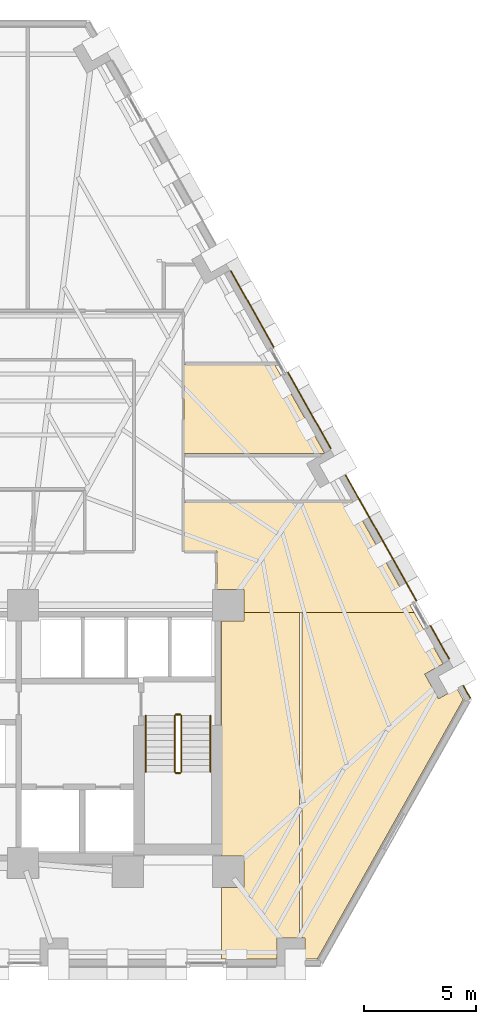
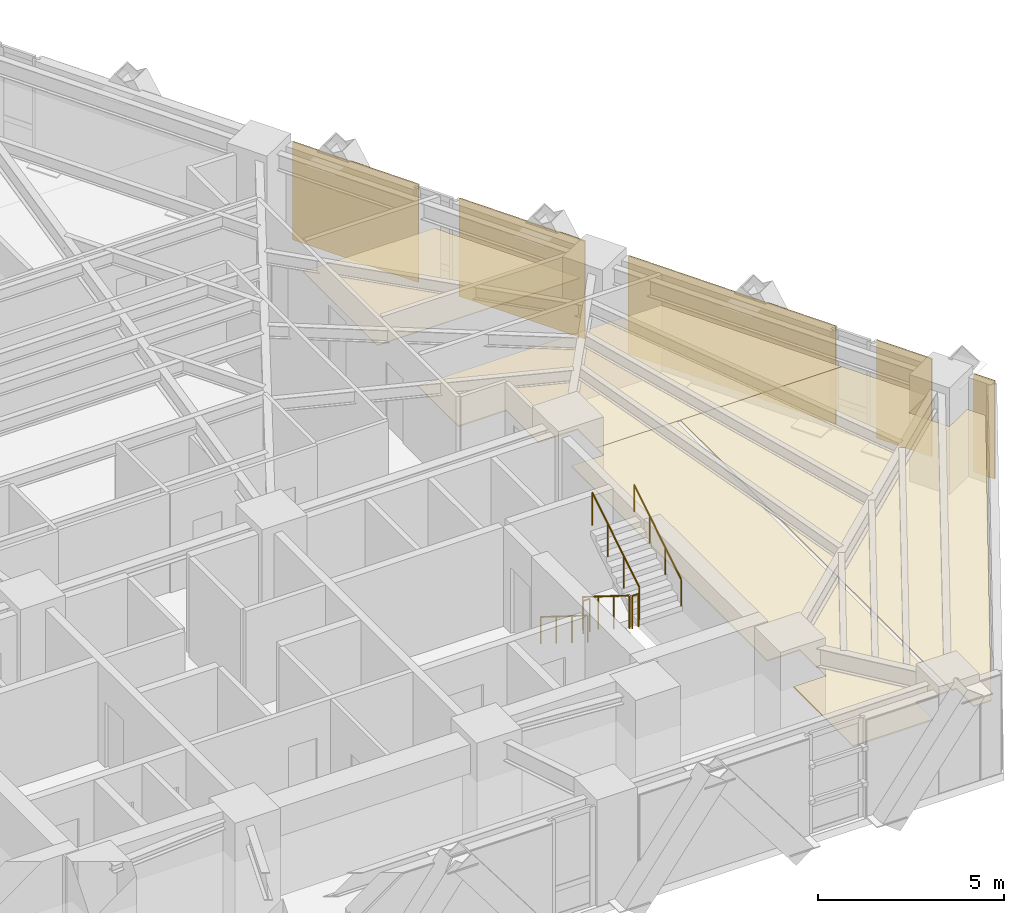
# One storey, part 12 of 13: 9 coverings, 6 railings.
"""IFC4 building model written with IfcOpenShell, lengths in metres."""

from ifc_helpers import new_model, si_unit, direction, frame, origin, origin_2d, place, context, subcontext, project, spatial, polyline, circle, outline, extrude, material, layer, layer_set, type_object, element, save


model = new_model("IFC4")

# Units and contexts
model_context = context("Model", 3, precision=1e-05, world=origin(), true_north=direction((0.0, 1.0)))
body_context = subcontext(model_context, "Body", "Model", "MODEL_VIEW")
ifc_project = project(units=[si_unit("LENGTHUNIT", "METRE"), si_unit("AREAUNIT", "SQUARE_METRE"), si_unit("VOLUMEUNIT", "CUBIC_METRE"), si_unit("PLANEANGLEUNIT", "RADIAN"), si_unit("MASSUNIT", "GRAM", prefix="KILO")], contexts=[model_context])

# Site, building, storey
site_placement = place(None, origin())
site = spatial("IfcSite", under=ifc_project, at=site_placement, CompositionType="ELEMENT")
building_placement = place(site_placement, origin())
building = spatial("IfcBuilding", under=site, at=building_placement, Name="Quenlor Broadcast Tower", CompositionType="ELEMENT")
storey_placement = place(building_placement, frame((0.0, 0.0, 34.60009765625)))
storey = spatial("IfcBuildingStorey", under=building, at=storey_placement, Name="L08", CompositionType="ELEMENT", Elevation=34.60009765625)

# Coverings
ifc_material_1 = material(Name="Acoustic Mineral Fibre Board", Category="other")
ifc_layer_1 = layer(ifc_material_1, 0.02490234375)
ifc_layer_set_1 = layer_set([ifc_layer_1], Name="Acoustic Perforated Mineral Tile Ceiling 25")
covering_type_1 = type_object("IfcCoveringType", Name="Acoustic Perforated Mineral Tile Ceiling 25", PredefinedType="CEILING", material=ifc_layer_set_1)
covering_1_placement = place(storey_placement, frame((0.0, 0.0, 2.224853515625)))
element("IfcCovering", 1, at=covering_1_placement, inside=storey, type_object=covering_type_1, Name="L08 Acoustic Ceiling L08-36", PredefinedType="CEILING", context=body_context, shape_type="SweptSolid", body=[
    extrude(outline(polyline([(15.03369140625, 5.97998046875), (17.263671875, 2.015380859375), (17.236328125, 2.0), (10.955078125, 2.0), (10.955078125, 5.97998046875), (15.03369140625, 5.97998046875)])), origin(), (0.0, 0.0, 1.0), 0.025146484375),
])
ifc_material_2 = material(Name="Acoustic Gypsum Board", Category="other")
ifc_layer_2 = layer(ifc_material_2, 0.0400390625)
ifc_layer_set_2 = layer_set([ifc_layer_2], Name="Broadcast Studio Spring Isolated Ceiling 40")
covering_type_2 = type_object("IfcCoveringType", Name="Broadcast Studio Spring Isolated Ceiling 40", PredefinedType="CEILING", material=ifc_layer_set_2)
covering_2_placement = place(storey_placement, frame((0.0, 0.0, 2.2099609375)))
element("IfcCovering", 2, at=covering_2_placement, inside=storey, type_object=covering_type_2, Name="L08 Acoustic Ceiling L08-38-2", PredefinedType="CEILING", context=body_context, shape_type="SweptSolid", body=[
    extrude(outline(polyline([(13.657958984375, -4.092041015625), (12.43994140625, -4.092041015625), (12.43994140625, -2.3701171875), (10.955078125, -2.3701171875), (10.955078125, -0.190185546875), (18.50439453125, -0.190185546875), (21.27734375, -5.1201171875), (16.260009765625, -5.1201171875), (16.139892578125, -5.1201171875), (13.657958984375, -5.1201171875), (13.657958984375, -4.092041015625)])), origin(), (0.0, 0.0, 1.0), 0.0400390625),
])
covering_3_placement = place(storey_placement, frame((0.0, 0.0, 2.2099609375)))
element("IfcCovering", 3, at=covering_3_placement, inside=storey, type_object=covering_type_2, Name="L08 Acoustic Ceiling L08-38-4", PredefinedType="CEILING", context=body_context, shape_type="SweptSolid", body=[
    extrude(outline(polyline([(13.657958984375, -17.4580078125), (13.657958984375, -16.0419921875), (12.64990234375, -16.0419921875), (12.64990234375, -5.508056640625), (13.657958984375, -5.508056640625), (13.657958984375, -5.1201171875), (16.139892578125, -5.1201171875), (16.139892578125, -19.717041015625), (15.132080078125, -19.717041015625), (15.132080078125, -20.659912109375), (12.64990234375, -20.659912109375), (12.64990234375, -17.4580078125), (13.657958984375, -17.4580078125)])), origin(), (0.0, 0.0, 1.0), 0.0400390625),
])
covering_4_placement = place(storey_placement, frame((0.0, 0.0, 2.2099609375)))
element("IfcCovering", 4, at=covering_4_placement, inside=storey, type_object=covering_type_2, Name="L08 Acoustic Ceiling L08-38-5", PredefinedType="CEILING", context=body_context, shape_type="SweptSolid", body=[
    extrude(outline(polyline([(22.575927734375, -7.428466796875), (21.754150390625, -7.890625), (22.374755859375, -8.994140625), (23.196533203125, -8.531982421875), (23.477783203125, -9.031982421875), (16.937255859375, -20.659912109375), (16.398193359375, -20.659912109375), (16.398193359375, -19.717041015625), (16.260009765625, -19.717041015625), (16.260009765625, -5.1201171875), (21.27734375, -5.1201171875), (22.575927734375, -7.428466796875)])), origin(), (0.0, 0.0, 1.0), 0.0400390625),
])
ifc_material_3 = material(Name="Architectural Terracotta Ceramic", Category="masonry")
ifc_layer_3 = layer(ifc_material_3, 0.044921875)
ifc_layer_set_3 = layer_set([ifc_layer_3], Name="Fluted Terracotta Rainscreen Cladding Panel")
covering_type_3 = type_object("IfcCoveringType", Name="Fluted Terracotta Rainscreen Cladding Panel", PredefinedType="CLADDING", material=ifc_layer_set_3)
covering_5_placement = place(storey_placement, frame((0.0, 0.0, 0.02001953125)))
element("IfcCovering", 5, at=covering_5_placement, inside=storey, type_object=covering_type_3, Name="L08 Terracotta Rainscreen Cladding L08-SHD-NES1", PredefinedType="CLADDING", context=body_context, shape_type="SweptSolid", body=[
    extrude(outline(polyline([(23.464111328125, -8.412109375), (23.781982421875, -8.97705078125), (23.8212890625, -8.955078125), (23.50341796875, -8.39013671875), (23.464111328125, -8.412109375)])), origin(), (0.0, 0.0, 1.0), 3.2099609375),
])
covering_6_placement = place(storey_placement, frame((0.0, 0.0, 0.02001953125)))
element("IfcCovering", 6, at=covering_6_placement, inside=storey, type_object=covering_type_3, Name="L08 Terracotta Rainscreen Cladding L08-NEC-SP1", PredefinedType="CLADDING", context=body_context, shape_type="SweptSolid", body=[
    extrude(outline(polyline([(18.18798828125, 1.029052734375), (21.3671875, -4.622802734375), (21.406494140625, -4.6005859375), (18.227294921875, 1.051025390625), (18.18798828125, 1.029052734375)])), origin(), (0.0, 0.0, 1.0), 3.2099609375),
])
covering_7_placement = place(storey_placement, frame((0.0, 0.0, 0.02001953125)))
element("IfcCovering", 7, at=covering_7_placement, inside=storey, type_object=covering_type_3, Name="L08 Terracotta Rainscreen Cladding L08-NEC-SP2", PredefinedType="CLADDING", context=body_context, shape_type="SweptSolid", body=[
    extrude(outline(polyline([(21.988525390625, -5.727294921875), (22.83349609375, -7.2294921875), (22.872802734375, -7.20751953125), (22.027587890625, -5.705322265625), (21.988525390625, -5.727294921875)])), origin(), (0.0, 0.0, 1.0), 3.2099609375),
])
covering_8_placement = place(storey_placement, frame((0.0, 0.0, 0.02001953125)))
element("IfcCovering", 8, at=covering_8_placement, inside=storey, type_object=covering_type_3, Name="L08 Terracotta Rainscreen Cladding L08-NE-SP1", PredefinedType="CLADDING", context=body_context, shape_type="SweptSolid", body=[
    extrude(outline(polyline([(13.044921875, 10.172607421875), (14.9736328125, 6.74365234375), (15.0126953125, 6.765625), (13.083984375, 10.194580078125), (13.044921875, 10.172607421875)])), origin(), (0.0, 0.0, 1.0), 3.2099609375),
])
covering_9_placement = place(storey_placement, frame((0.0, 0.0, 0.02001953125)))
element("IfcCovering", 9, at=covering_9_placement, inside=storey, type_object=covering_type_3, Name="L08 Terracotta Rainscreen Cladding L08-NE-SP2", PredefinedType="CLADDING", context=body_context, shape_type="SweptSolid", body=[
    extrude(outline(polyline([(15.594970703125, 5.638916015625), (17.523681640625, 2.2099609375), (17.56298828125, 2.23193359375), (15.63427734375, 5.660888671875), (15.594970703125, 5.638916015625)])), origin(), (0.0, 0.0, 1.0), 3.2099609375),
])

# Railings
ifc_material_4 = material(Name="Anodised Aluminium", Category="aluminium")
railing_type_1 = type_object("IfcRailingType", Name="Stainless Aluminium Wall Handrail 900", PredefinedType="HANDRAIL", material=ifc_material_4)
railing_1_placement = place(storey_placement, frame((9.25, -9.75, 0.1748046875)))
element("IfcRailing", 10, at=railing_1_placement, inside=storey, type_object=railing_type_1, Name="L08 ST-2 stair handrail 1", PredefinedType="HANDRAIL", context=body_context, shape_type="SweptSolid", body=[
    extrude(circle(Radius=0.02392578125, at=origin_2d()), frame((0.0, 0.0, 0.8759765625), z_axis=(0.0, -0.847970611238, 0.530043245855), x_axis=(1.0, 0.0, 0.0)), (0.0, 0.0, 1.0), 2.971923828125),
    extrude(circle(Radius=0.02099609375, at=origin_2d()), origin(), (0.0, 0.0, 1.0), 0.851806640625),
    extrude(circle(Radius=0.02099609375, at=origin_2d()), frame((0.0, -0.840087890625, 0.525146484375)), (0.0, 0.0, 1.0), 0.851806640625),
    extrude(circle(Radius=0.02099609375, at=origin_2d()), frame((0.0, -1.679931640625, 1.050048828125)), (0.0, 0.0, 1.0), 0.851806640625),
    extrude(circle(Radius=0.02099609375, at=origin_2d()), frame((0.0, -2.52001953125, 1.5751953125)), (0.0, 0.0, 1.0), 0.851806640625),
])
railing_2_placement = place(storey_placement, frame((12.14990234375, -12.27001953125, 1.9248046875)))
element("IfcRailing", 11, at=railing_2_placement, inside=storey, type_object=railing_type_1, Name="L08 ST-2 stair handrail 2", PredefinedType="HANDRAIL", context=body_context, shape_type="SweptSolid", body=[
    extrude(circle(Radius=0.02392578125, at=origin_2d()), frame((0.0, 0.0, 0.8759765625), z_axis=(0.0, 0.847970611238, 0.530043245855), x_axis=(-1.0, 0.0, 0.0)), (0.0, 0.0, 1.0), 2.971923828125),
    extrude(circle(Radius=0.02099609375, at=origin_2d()), origin(), (0.0, 0.0, 1.0), 0.851806640625),
    extrude(circle(Radius=0.02099609375, at=origin_2d()), frame((0.0, 0.840087890625, 0.525146484375)), (0.0, 0.0, 1.0), 0.851806640625),
    extrude(circle(Radius=0.02099609375, at=origin_2d()), frame((0.0, 1.679931640625, 1.050048828125)), (0.0, 0.0, 1.0), 0.851806640625),
    extrude(circle(Radius=0.02099609375, at=origin_2d()), frame((0.0, 2.52001953125, 1.5751953125)), (0.0, 0.0, 1.0), 0.851806640625),
])
ifc_material_5 = material(Name="Steel S355", Category="steel")
railing_type_2 = type_object("IfcRailingType", Name="Tubular Steel S355 Stair Guardrail 1100", PredefinedType="BALUSTRADE", material=ifc_material_5)
railing_3_placement = place(storey_placement, frame((10.550048828125, -9.75, 0.1748046875)))
element("IfcRailing", 12, at=railing_3_placement, inside=storey, type_object=railing_type_2, Name="L08 ST-2 stair guard 1", PredefinedType="BALUSTRADE", context=body_context, shape_type="SweptSolid", body=[
    extrude(circle(Radius=0.02392578125, at=origin_2d()), frame((0.0, 0.0, 1.076171875), z_axis=(0.0, -0.847970611238, 0.530043245855), x_axis=(1.0, 0.0, 0.0)), (0.0, 0.0, 1.0), 2.971923828125),
    extrude(circle(Radius=0.02099609375, at=origin_2d()), origin(), (0.0, 0.0, 1.0), 1.052001953125),
    extrude(circle(Radius=0.02099609375, at=origin_2d()), frame((0.0, -0.840087890625, 0.525146484375)), (0.0, 0.0, 1.0), 1.052001953125),
    extrude(circle(Radius=0.02099609375, at=origin_2d()), frame((0.0, -1.679931640625, 1.050048828125)), (0.0, 0.0, 1.0), 1.052001953125),
    extrude(circle(Radius=0.02099609375, at=origin_2d()), frame((0.0, -2.52001953125, 1.5751953125)), (0.0, 0.0, 1.0), 1.052001953125),
])
railing_4_placement = place(storey_placement, frame((10.60009765625, -12.320068359375, 1.75)))
element("IfcRailing", 13, at=railing_4_placement, inside=storey, type_object=railing_type_2, Name="L08 ST-2 stair guard 2", PredefinedType="BALUSTRADE", context=body_context, shape_type="SweptSolid", body=[
    extrude(circle(Radius=0.02392578125, at=origin_2d()), frame((0.0, 0.0, 1.076171875), z_axis=(1.0, 0.0, 0.0), x_axis=(0.0, 1.0, 0.0)), (0.0, 0.0, 1.0), 0.199951171875),
    extrude(circle(Radius=0.02099609375, at=origin_2d()), origin(), (0.0, 0.0, 1.0), 1.052001953125),
    extrude(circle(Radius=0.02099609375, at=origin_2d()), frame((0.199951171875, 0.0, 0.0)), (0.0, 0.0, 1.0), 1.052001953125),
])
railing_5_placement = place(storey_placement, frame((10.85009765625, -12.27001953125, 1.9248046875)))
element("IfcRailing", 14, at=railing_5_placement, inside=storey, type_object=railing_type_2, Name="L08 ST-2 stair guard 3", PredefinedType="BALUSTRADE", context=body_context, shape_type="SweptSolid", body=[
    extrude(circle(Radius=0.02392578125, at=origin_2d()), frame((0.0, 0.0, 1.076171875), z_axis=(0.0, 0.847970611238, 0.530043245855), x_axis=(-1.0, 0.0, 0.0)), (0.0, 0.0, 1.0), 2.971923828125),
    extrude(circle(Radius=0.02099609375, at=origin_2d()), origin(), (0.0, 0.0, 1.0), 1.052001953125),
    extrude(circle(Radius=0.02099609375, at=origin_2d()), frame((0.0, 0.840087890625, 0.525146484375)), (0.0, 0.0, 1.0), 1.052001953125),
    extrude(circle(Radius=0.02099609375, at=origin_2d()), frame((0.0, 1.679931640625, 1.050048828125)), (0.0, 0.0, 1.0), 1.052001953125),
    extrude(circle(Radius=0.02099609375, at=origin_2d()), frame((0.0, 2.52001953125, 1.5751953125)), (0.0, 0.0, 1.0), 1.052001953125),
])
railing_6_placement = place(storey_placement, frame((10.60009765625, -9.699951171875, 0.0)))
element("IfcRailing", 15, at=railing_6_placement, inside=storey, type_object=railing_type_2, Name="L08 ST-2 stair guard 4", PredefinedType="BALUSTRADE", context=body_context, shape_type="SweptSolid", body=[
    extrude(circle(Radius=0.02392578125, at=origin_2d()), frame((0.0, 0.0, 1.076171875), z_axis=(1.0, 0.0, 0.0), x_axis=(0.0, 1.0, 0.0)), (0.0, 0.0, 1.0), 0.199951171875),
    extrude(circle(Radius=0.02099609375, at=origin_2d()), origin(), (0.0, 0.0, 1.0), 1.052001953125),
    extrude(circle(Radius=0.02099609375, at=origin_2d()), frame((0.199951171875, 0.0, 0.0)), (0.0, 0.0, 1.0), 1.052001953125),
])

save(model, "model.ifc")
